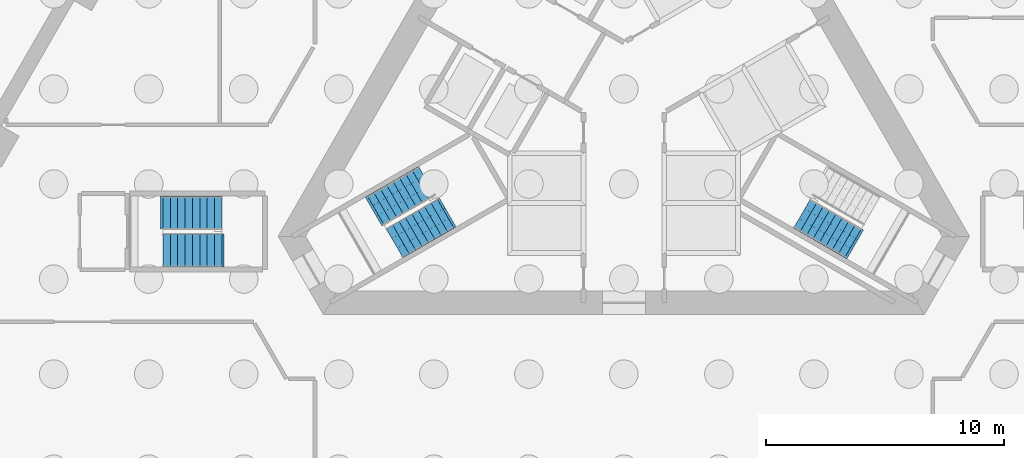
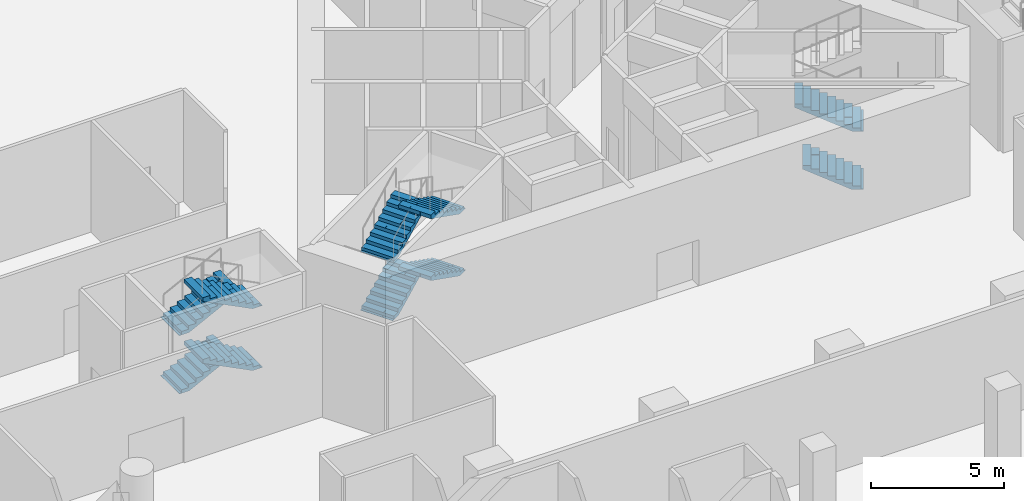
# One storey, part 13 of 20: 10 stair flights, 3 elements without a shape of their own.
"""IFC4 building model written with IfcOpenShell, lengths in metres."""

from ifc_helpers import new_model, si_unit, direction, frame, origin, place, context, subcontext, project, spatial, polyline, outline, extrude, material, type_object, element, aggregate, save


model = new_model("IFC4")

# Units and contexts
model_context = context("Model", 3, precision=1e-05, world=origin(), true_north=direction((0.0, 1.0)))
body_context = subcontext(model_context, "Body", "Model", "MODEL_VIEW")
ifc_project = project(units=[si_unit("LENGTHUNIT", "METRE"), si_unit("AREAUNIT", "SQUARE_METRE"), si_unit("VOLUMEUNIT", "CUBIC_METRE"), si_unit("PLANEANGLEUNIT", "RADIAN"), si_unit("MASSUNIT", "GRAM", prefix="KILO")], contexts=[model_context])

# Site, building, storey
site_placement = place(None, origin())
site = spatial("IfcSite", under=ifc_project, at=site_placement, CompositionType="ELEMENT")
building_placement = place(site_placement, origin())
building = spatial("IfcBuilding", under=site, at=building_placement, Name="Triada Interchange Tower", CompositionType="ELEMENT")
storey_placement = place(building_placement, frame((0.0, 0.0, -5.5)))
storey = spatial("IfcBuildingStorey", under=building, at=storey_placement, Name="B1", CompositionType="ELEMENT", Elevation=-5.5)

# Stair, stair flights
ifc_material = material(Name="Concrete C35/45", Category="concrete")
stair_type = type_object("IfcStairType", Name="HALF TURN STAIR 1400", PredefinedType="HALF_TURN_STAIR", material=ifc_material)
stair_1_placement = place(storey_placement, origin())
stair_1 = element("IfcStair", 1, at=stair_1_placement, inside=storey, type_object=stair_type, Name="Exit stair SB1-2", PredefinedType="HALF_TURN_STAIR")
stair_flight_type = type_object("IfcStairFlightType", Name="STRAIGHT STAIR FLIGHT 1400", PredefinedType="STRAIGHT", material=ifc_material)
stair_flight_1_placement = place(storey_placement, frame((-10.446044921875, -5.10693359375, 0.0), z_axis=(0.0, 0.0, 1.0), x_axis=(0.866025403784, 0.5, 0.0)))
stair_flight_1 = element("IfcStairFlight", 2, at=stair_flight_1_placement, type_object=stair_flight_type, Name="SB1-2 flight 1", NumberOfRisers=8, NumberOfTreads=7, PredefinedType="STRAIGHT", RiserHeight=0.15714, TreadLength=0.31, context=body_context, shape_type="SweptSolid", body=[
    extrude(outline(polyline([(-0.10009765625, 0.0), (-0.10009765625, 0.02001953125), (0.0, 0.02001953125), (0.0, 0.1572265625), (0.31005859375, 0.1572265625), (0.31005859375, 0.314208984375), (0.6201171875, 0.314208984375), (0.6201171875, 0.471435546875), (0.929931640625, 0.471435546875), (0.929931640625, 0.628662109375), (1.239990234375, 0.628662109375), (1.239990234375, 0.78564453125), (1.550048828125, 0.78564453125), (1.550048828125, 0.94287109375), (1.860107421875, 0.94287109375), (1.860107421875, 1.10009765625), (2.169921875, 1.10009765625), (2.174072265625, 1.10009765625), (2.174072265625, 1.257080078125), (2.174072265625, 0.931884765625), (0.33154296875, 0.0), (-0.10009765625, 0.0)])), frame((0.0, 0.699951171875, 0.0), z_axis=(0.0, -1.0, 0.0), x_axis=(1.0, 0.0, 0.0)), (0.0, 0.0, 1.0), 0.46533203125),
    extrude(outline(polyline([(-0.10009765625, 0.0), (-0.10009765625, 0.02001953125), (0.0, 0.02001953125), (0.0, 0.1572265625), (0.31005859375, 0.1572265625), (0.31005859375, 0.314208984375), (0.6201171875, 0.314208984375), (0.6201171875, 0.471435546875), (0.929931640625, 0.471435546875), (0.929931640625, 0.628662109375), (1.239990234375, 0.628662109375), (1.239990234375, 0.78564453125), (1.550048828125, 0.78564453125), (1.550048828125, 0.94287109375), (1.860107421875, 0.94287109375), (1.860107421875, 1.10009765625), (2.169921875, 1.10009765625), (2.174072265625, 1.10009765625), (2.174072265625, 1.257080078125), (2.174072265625, 0.931884765625), (0.33154296875, 0.0), (-0.10009765625, 0.0)])), frame((0.0, 0.232666015625, 0.0), z_axis=(0.0, -1.0, 0.0), x_axis=(1.0, 0.0, 0.0)), (0.0, 0.0, 1.0), 0.46533203125),
    extrude(outline(polyline([(-0.10009765625, 0.0), (-0.10009765625, 0.02001953125), (0.0, 0.02001953125), (0.0, 0.1572265625), (0.31005859375, 0.1572265625), (0.31005859375, 0.314208984375), (0.6201171875, 0.314208984375), (0.6201171875, 0.471435546875), (0.929931640625, 0.471435546875), (0.929931640625, 0.628662109375), (1.239990234375, 0.628662109375), (1.239990234375, 0.78564453125), (1.550048828125, 0.78564453125), (1.550048828125, 0.94287109375), (1.860107421875, 0.94287109375), (1.860107421875, 1.10009765625), (2.169921875, 1.10009765625), (2.174072265625, 1.10009765625), (2.174072265625, 1.257080078125), (2.174072265625, 0.931884765625), (0.33154296875, 0.0), (-0.10009765625, 0.0)])), frame((0.0, -0.234619140625, 0.0), z_axis=(0.0, -1.0, 0.0), x_axis=(1.0, 0.0, 0.0)), (0.0, 0.0, 1.0), 0.46533203125),
])
stair_flight_2_placement = place(storey_placement, frame((-7.498046875, -5.2529296875, 1.257080078125), z_axis=(0.0, 0.0, 1.0), x_axis=(-0.866025403784, -0.5, 0.0)))
stair_flight_2 = element("IfcStairFlight", 3, at=stair_flight_2_placement, type_object=stair_flight_type, Name="SB1-2 flight 2", NumberOfRisers=9, NumberOfTreads=8, PredefinedType="STRAIGHT", RiserHeight=0.15714, TreadLength=0.31, context=body_context, shape_type="SweptSolid", body=[
    extrude(outline(polyline([(-0.10009765625, 0.0), (-0.10009765625, 0.02001953125), (0.0, 0.02001953125), (0.0, 0.1572265625), (0.31005859375, 0.1572265625), (0.31005859375, 0.314208984375), (0.6201171875, 0.314208984375), (0.6201171875, 0.471435546875), (0.929931640625, 0.471435546875), (0.929931640625, 0.628662109375), (1.239990234375, 0.628662109375), (1.239990234375, 0.78564453125), (1.550048828125, 0.78564453125), (1.550048828125, 0.94287109375), (1.860107421875, 0.94287109375), (1.860107421875, 1.10009765625), (2.169921875, 1.10009765625), (2.169921875, 1.257080078125), (2.47998046875, 1.257080078125), (2.48388671875, 1.257080078125), (2.48388671875, 1.414306640625), (2.48388671875, 1.089111328125), (0.33154296875, 0.0), (-0.10009765625, 0.0)])), frame((0.0, 0.699951171875, 0.0), z_axis=(0.0, -1.0, 0.0), x_axis=(1.0, 0.0, 0.0)), (0.0, 0.0, 1.0), 0.46533203125),
    extrude(outline(polyline([(-0.10009765625, 0.0), (-0.10009765625, 0.02001953125), (0.0, 0.02001953125), (0.0, 0.1572265625), (0.31005859375, 0.1572265625), (0.31005859375, 0.314208984375), (0.6201171875, 0.314208984375), (0.6201171875, 0.471435546875), (0.929931640625, 0.471435546875), (0.929931640625, 0.628662109375), (1.239990234375, 0.628662109375), (1.239990234375, 0.78564453125), (1.550048828125, 0.78564453125), (1.550048828125, 0.94287109375), (1.860107421875, 0.94287109375), (1.860107421875, 1.10009765625), (2.169921875, 1.10009765625), (2.169921875, 1.257080078125), (2.47998046875, 1.257080078125), (2.48388671875, 1.257080078125), (2.48388671875, 1.414306640625), (2.48388671875, 1.089111328125), (0.33154296875, 0.0), (-0.10009765625, 0.0)])), frame((0.0, 0.232666015625, 0.0), z_axis=(0.0, -1.0, 0.0), x_axis=(1.0, 0.0, 0.0)), (0.0, 0.0, 1.0), 0.46533203125),
    extrude(outline(polyline([(-0.10009765625, 0.0), (-0.10009765625, 0.02001953125), (0.0, 0.02001953125), (0.0, 0.1572265625), (0.31005859375, 0.1572265625), (0.31005859375, 0.314208984375), (0.6201171875, 0.314208984375), (0.6201171875, 0.471435546875), (0.929931640625, 0.471435546875), (0.929931640625, 0.628662109375), (1.239990234375, 0.628662109375), (1.239990234375, 0.78564453125), (1.550048828125, 0.78564453125), (1.550048828125, 0.94287109375), (1.860107421875, 0.94287109375), (1.860107421875, 1.10009765625), (2.169921875, 1.10009765625), (2.169921875, 1.257080078125), (2.47998046875, 1.257080078125), (2.48388671875, 1.257080078125), (2.48388671875, 1.414306640625), (2.48388671875, 1.089111328125), (0.33154296875, 0.0), (-0.10009765625, 0.0)])), frame((0.0, -0.234619140625, 0.0), z_axis=(0.0, -1.0, 0.0), x_axis=(1.0, 0.0, 0.0)), (0.0, 0.0, 1.0), 0.46533203125),
])
stair_flight_3_placement = place(storey_placement, frame((-10.446044921875, -5.10693359375, 2.67138671875), z_axis=(0.0, 0.0, 1.0), x_axis=(0.866025403784, 0.5, 0.0)))
stair_flight_3 = element("IfcStairFlight", 4, at=stair_flight_3_placement, type_object=stair_flight_type, Name="SB1-2 flight 3", NumberOfRisers=9, NumberOfTreads=8, PredefinedType="STRAIGHT", RiserHeight=0.15714, TreadLength=0.31, context=body_context, shape_type="SweptSolid", body=[
    extrude(outline(polyline([(-0.10009765625, 0.0), (-0.10009765625, 0.02001953125), (0.0, 0.02001953125), (0.0, 0.1572265625), (0.31005859375, 0.1572265625), (0.31005859375, 0.314208984375), (0.6201171875, 0.314208984375), (0.6201171875, 0.471435546875), (0.929931640625, 0.471435546875), (0.929931640625, 0.628662109375), (1.239990234375, 0.628662109375), (1.239990234375, 0.78564453125), (1.550048828125, 0.78564453125), (1.550048828125, 0.94287109375), (1.860107421875, 0.94287109375), (1.860107421875, 1.10009765625), (2.169921875, 1.10009765625), (2.169921875, 1.257080078125), (2.47998046875, 1.257080078125), (2.48388671875, 1.257080078125), (2.48388671875, 1.414306640625), (2.48388671875, 1.089111328125), (0.33154296875, 0.0), (-0.10009765625, 0.0)])), frame((0.0, 0.699951171875, 0.0), z_axis=(0.0, -1.0, 0.0), x_axis=(1.0, 0.0, 0.0)), (0.0, 0.0, 1.0), 0.46533203125),
    extrude(outline(polyline([(-0.10009765625, 0.0), (-0.10009765625, 0.02001953125), (0.0, 0.02001953125), (0.0, 0.1572265625), (0.31005859375, 0.1572265625), (0.31005859375, 0.314208984375), (0.6201171875, 0.314208984375), (0.6201171875, 0.471435546875), (0.929931640625, 0.471435546875), (0.929931640625, 0.628662109375), (1.239990234375, 0.628662109375), (1.239990234375, 0.78564453125), (1.550048828125, 0.78564453125), (1.550048828125, 0.94287109375), (1.860107421875, 0.94287109375), (1.860107421875, 1.10009765625), (2.169921875, 1.10009765625), (2.169921875, 1.257080078125), (2.47998046875, 1.257080078125), (2.48388671875, 1.257080078125), (2.48388671875, 1.414306640625), (2.48388671875, 1.089111328125), (0.33154296875, 0.0), (-0.10009765625, 0.0)])), frame((0.0, 0.232666015625, 0.0), z_axis=(0.0, -1.0, 0.0), x_axis=(1.0, 0.0, 0.0)), (0.0, 0.0, 1.0), 0.46533203125),
    extrude(outline(polyline([(-0.10009765625, 0.0), (-0.10009765625, 0.02001953125), (0.0, 0.02001953125), (0.0, 0.1572265625), (0.31005859375, 0.1572265625), (0.31005859375, 0.314208984375), (0.6201171875, 0.314208984375), (0.6201171875, 0.471435546875), (0.929931640625, 0.471435546875), (0.929931640625, 0.628662109375), (1.239990234375, 0.628662109375), (1.239990234375, 0.78564453125), (1.550048828125, 0.78564453125), (1.550048828125, 0.94287109375), (1.860107421875, 0.94287109375), (1.860107421875, 1.10009765625), (2.169921875, 1.10009765625), (2.169921875, 1.257080078125), (2.47998046875, 1.257080078125), (2.48388671875, 1.257080078125), (2.48388671875, 1.414306640625), (2.48388671875, 1.089111328125), (0.33154296875, 0.0), (-0.10009765625, 0.0)])), frame((0.0, -0.234619140625, 0.0), z_axis=(0.0, -1.0, 0.0), x_axis=(1.0, 0.0, 0.0)), (0.0, 0.0, 1.0), 0.46533203125),
])
stair_flight_4_placement = place(storey_placement, frame((-7.498046875, -5.2529296875, 4.085693359375), z_axis=(0.0, 0.0, 1.0), x_axis=(-0.866025403784, -0.5, 0.0)))
stair_flight_4 = element("IfcStairFlight", 5, at=stair_flight_4_placement, type_object=stair_flight_type, Name="SB1-2 flight 4", NumberOfRisers=9, NumberOfTreads=8, PredefinedType="STRAIGHT", RiserHeight=0.15714, TreadLength=0.31, context=body_context, shape_type="SweptSolid", body=[
    extrude(outline(polyline([(-0.10009765625, 0.0), (-0.10009765625, 0.02001953125), (0.0, 0.02001953125), (0.0, 0.1572265625), (0.31005859375, 0.1572265625), (0.31005859375, 0.314208984375), (0.6201171875, 0.314208984375), (0.6201171875, 0.471435546875), (0.929931640625, 0.471435546875), (0.929931640625, 0.628662109375), (1.239990234375, 0.628662109375), (1.239990234375, 0.78564453125), (1.550048828125, 0.78564453125), (1.550048828125, 0.94287109375), (1.860107421875, 0.94287109375), (1.860107421875, 1.10009765625), (2.169921875, 1.10009765625), (2.169921875, 1.257080078125), (2.47998046875, 1.257080078125), (2.48388671875, 1.257080078125), (2.48388671875, 1.414306640625), (2.48388671875, 1.089111328125), (0.33154296875, 0.0), (-0.10009765625, 0.0)])), frame((0.0, 0.699951171875, 0.0), z_axis=(0.0, -1.0, 0.0), x_axis=(1.0, 0.0, 0.0)), (0.0, 0.0, 1.0), 0.46533203125),
    extrude(outline(polyline([(-0.10009765625, 0.0), (-0.10009765625, 0.02001953125), (0.0, 0.02001953125), (0.0, 0.1572265625), (0.31005859375, 0.1572265625), (0.31005859375, 0.314208984375), (0.6201171875, 0.314208984375), (0.6201171875, 0.471435546875), (0.929931640625, 0.471435546875), (0.929931640625, 0.628662109375), (1.239990234375, 0.628662109375), (1.239990234375, 0.78564453125), (1.550048828125, 0.78564453125), (1.550048828125, 0.94287109375), (1.860107421875, 0.94287109375), (1.860107421875, 1.10009765625), (2.169921875, 1.10009765625), (2.169921875, 1.257080078125), (2.47998046875, 1.257080078125), (2.48388671875, 1.257080078125), (2.48388671875, 1.414306640625), (2.48388671875, 1.089111328125), (0.33154296875, 0.0), (-0.10009765625, 0.0)])), frame((0.0, 0.232666015625, 0.0), z_axis=(0.0, -1.0, 0.0), x_axis=(1.0, 0.0, 0.0)), (0.0, 0.0, 1.0), 0.46533203125),
    extrude(outline(polyline([(-0.10009765625, 0.0), (-0.10009765625, 0.02001953125), (0.0, 0.02001953125), (0.0, 0.1572265625), (0.31005859375, 0.1572265625), (0.31005859375, 0.314208984375), (0.6201171875, 0.314208984375), (0.6201171875, 0.471435546875), (0.929931640625, 0.471435546875), (0.929931640625, 0.628662109375), (1.239990234375, 0.628662109375), (1.239990234375, 0.78564453125), (1.550048828125, 0.78564453125), (1.550048828125, 0.94287109375), (1.860107421875, 0.94287109375), (1.860107421875, 1.10009765625), (2.169921875, 1.10009765625), (2.169921875, 1.257080078125), (2.47998046875, 1.257080078125), (2.48388671875, 1.257080078125), (2.48388671875, 1.414306640625), (2.48388671875, 1.089111328125), (0.33154296875, 0.0), (-0.10009765625, 0.0)])), frame((0.0, -0.234619140625, 0.0), z_axis=(0.0, -1.0, 0.0), x_axis=(1.0, 0.0, 0.0)), (0.0, 0.0, 1.0), 0.46533203125),
])
aggregate(stair_1, [stair_flight_1, stair_flight_2, stair_flight_3, stair_flight_4])

stair_2_placement = place(storey_placement, origin())
stair_2 = element("IfcStair", 6, at=stair_2_placement, inside=storey, type_object=stair_type, Name="Exit stair SB1-3", PredefinedType="HALF_TURN_STAIR")
stair_flight_5_placement = place(storey_placement, frame((9.64599609375, -6.492919921875, 0.0), z_axis=(0.0, 0.0, 1.0), x_axis=(-0.866025403784, 0.5, 0.0)))
stair_flight_5 = element("IfcStairFlight", 7, at=stair_flight_5_placement, type_object=stair_flight_type, Name="SB1-3 flight 1", NumberOfRisers=8, NumberOfTreads=7, PredefinedType="STRAIGHT", RiserHeight=0.15714, TreadLength=0.31, context=body_context, shape_type="SweptSolid", body=[
    extrude(outline(polyline([(-0.10009765625, 0.0), (-0.10009765625, 0.02001953125), (0.0, 0.02001953125), (0.0, 0.1572265625), (0.31005859375, 0.1572265625), (0.31005859375, 0.314208984375), (0.6201171875, 0.314208984375), (0.6201171875, 0.471435546875), (0.929931640625, 0.471435546875), (0.929931640625, 0.628662109375), (1.239990234375, 0.628662109375), (1.239990234375, 0.78564453125), (1.550048828125, 0.78564453125), (1.550048828125, 0.94287109375), (1.860107421875, 0.94287109375), (1.860107421875, 1.10009765625), (2.169921875, 1.10009765625), (2.174072265625, 1.10009765625), (2.174072265625, 1.257080078125), (2.174072265625, 0.931884765625), (0.33154296875, 0.0), (-0.10009765625, 0.0)])), frame((0.0, 0.699951171875, 0.0), z_axis=(0.0, -1.0, 0.0), x_axis=(1.0, 0.0, 0.0)), (0.0, 0.0, 1.0), 0.46533203125),
    extrude(outline(polyline([(-0.10009765625, 0.0), (-0.10009765625, 0.02001953125), (0.0, 0.02001953125), (0.0, 0.1572265625), (0.31005859375, 0.1572265625), (0.31005859375, 0.314208984375), (0.6201171875, 0.314208984375), (0.6201171875, 0.471435546875), (0.929931640625, 0.471435546875), (0.929931640625, 0.628662109375), (1.239990234375, 0.628662109375), (1.239990234375, 0.78564453125), (1.550048828125, 0.78564453125), (1.550048828125, 0.94287109375), (1.860107421875, 0.94287109375), (1.860107421875, 1.10009765625), (2.169921875, 1.10009765625), (2.174072265625, 1.10009765625), (2.174072265625, 1.257080078125), (2.174072265625, 0.931884765625), (0.33154296875, 0.0), (-0.10009765625, 0.0)])), frame((0.0, 0.232666015625, 0.0), z_axis=(0.0, -1.0, 0.0), x_axis=(1.0, 0.0, 0.0)), (0.0, 0.0, 1.0), 0.46533203125),
    extrude(outline(polyline([(-0.10009765625, 0.0), (-0.10009765625, 0.02001953125), (0.0, 0.02001953125), (0.0, 0.1572265625), (0.31005859375, 0.1572265625), (0.31005859375, 0.314208984375), (0.6201171875, 0.314208984375), (0.6201171875, 0.471435546875), (0.929931640625, 0.471435546875), (0.929931640625, 0.628662109375), (1.239990234375, 0.628662109375), (1.239990234375, 0.78564453125), (1.550048828125, 0.78564453125), (1.550048828125, 0.94287109375), (1.860107421875, 0.94287109375), (1.860107421875, 1.10009765625), (2.169921875, 1.10009765625), (2.174072265625, 1.10009765625), (2.174072265625, 1.257080078125), (2.174072265625, 0.931884765625), (0.33154296875, 0.0), (-0.10009765625, 0.0)])), frame((0.0, -0.234619140625, 0.0), z_axis=(0.0, -1.0, 0.0), x_axis=(1.0, 0.0, 0.0)), (0.0, 0.0, 1.0), 0.46533203125),
])
stair_flight_6_placement = place(storey_placement, frame((9.64599609375, -6.492919921875, 2.67138671875), z_axis=(0.0, 0.0, 1.0), x_axis=(-0.866025403784, 0.5, 0.0)))
stair_flight_6 = element("IfcStairFlight", 8, at=stair_flight_6_placement, type_object=stair_flight_type, Name="SB1-3 flight 3", NumberOfRisers=9, NumberOfTreads=8, PredefinedType="STRAIGHT", RiserHeight=0.15714, TreadLength=0.31, context=body_context, shape_type="SweptSolid", body=[
    extrude(outline(polyline([(-0.10009765625, 0.0), (-0.10009765625, 0.02001953125), (0.0, 0.02001953125), (0.0, 0.1572265625), (0.31005859375, 0.1572265625), (0.31005859375, 0.314208984375), (0.6201171875, 0.314208984375), (0.6201171875, 0.471435546875), (0.929931640625, 0.471435546875), (0.929931640625, 0.628662109375), (1.239990234375, 0.628662109375), (1.239990234375, 0.78564453125), (1.550048828125, 0.78564453125), (1.550048828125, 0.94287109375), (1.860107421875, 0.94287109375), (1.860107421875, 1.10009765625), (2.169921875, 1.10009765625), (2.169921875, 1.257080078125), (2.47998046875, 1.257080078125), (2.48388671875, 1.257080078125), (2.48388671875, 1.414306640625), (2.48388671875, 1.089111328125), (0.33154296875, 0.0), (-0.10009765625, 0.0)])), frame((0.0, 0.699951171875, 0.0), z_axis=(0.0, -1.0, 0.0), x_axis=(1.0, 0.0, 0.0)), (0.0, 0.0, 1.0), 0.46533203125),
    extrude(outline(polyline([(-0.10009765625, 0.0), (-0.10009765625, 0.02001953125), (0.0, 0.02001953125), (0.0, 0.1572265625), (0.31005859375, 0.1572265625), (0.31005859375, 0.314208984375), (0.6201171875, 0.314208984375), (0.6201171875, 0.471435546875), (0.929931640625, 0.471435546875), (0.929931640625, 0.628662109375), (1.239990234375, 0.628662109375), (1.239990234375, 0.78564453125), (1.550048828125, 0.78564453125), (1.550048828125, 0.94287109375), (1.860107421875, 0.94287109375), (1.860107421875, 1.10009765625), (2.169921875, 1.10009765625), (2.169921875, 1.257080078125), (2.47998046875, 1.257080078125), (2.48388671875, 1.257080078125), (2.48388671875, 1.414306640625), (2.48388671875, 1.089111328125), (0.33154296875, 0.0), (-0.10009765625, 0.0)])), frame((0.0, 0.232666015625, 0.0), z_axis=(0.0, -1.0, 0.0), x_axis=(1.0, 0.0, 0.0)), (0.0, 0.0, 1.0), 0.46533203125),
    extrude(outline(polyline([(-0.10009765625, 0.0), (-0.10009765625, 0.02001953125), (0.0, 0.02001953125), (0.0, 0.1572265625), (0.31005859375, 0.1572265625), (0.31005859375, 0.314208984375), (0.6201171875, 0.314208984375), (0.6201171875, 0.471435546875), (0.929931640625, 0.471435546875), (0.929931640625, 0.628662109375), (1.239990234375, 0.628662109375), (1.239990234375, 0.78564453125), (1.550048828125, 0.78564453125), (1.550048828125, 0.94287109375), (1.860107421875, 0.94287109375), (1.860107421875, 1.10009765625), (2.169921875, 1.10009765625), (2.169921875, 1.257080078125), (2.47998046875, 1.257080078125), (2.48388671875, 1.257080078125), (2.48388671875, 1.414306640625), (2.48388671875, 1.089111328125), (0.33154296875, 0.0), (-0.10009765625, 0.0)])), frame((0.0, -0.234619140625, 0.0), z_axis=(0.0, -1.0, 0.0), x_axis=(1.0, 0.0, 0.0)), (0.0, 0.0, 1.0), 0.46533203125),
])
aggregate(stair_2, [stair_flight_5, stair_flight_6])

stair_3_placement = place(storey_placement, origin())
stair_3 = element("IfcStair", 9, at=stair_3_placement, inside=storey, type_object=stair_type, Name="Exit stair SB1-6", PredefinedType="HALF_TURN_STAIR")
stair_flight_7_placement = place(storey_placement, frame((-19.39990234375, -5.199951171875, 0.0), z_axis=(0.0, 0.0, 1.0), x_axis=(1.0, 0.0, 0.0)))
stair_flight_7 = element("IfcStairFlight", 10, at=stair_flight_7_placement, type_object=stair_flight_type, Name="SB1-6 flight 1", NumberOfRisers=8, NumberOfTreads=7, PredefinedType="STRAIGHT", RiserHeight=0.15714, TreadLength=0.31, context=body_context, shape_type="SweptSolid", body=[
    extrude(outline(polyline([(-0.10009765625, 0.0), (-0.10009765625, 0.02001953125), (0.0, 0.02001953125), (0.0, 0.1572265625), (0.31005859375, 0.1572265625), (0.31005859375, 0.314208984375), (0.6201171875, 0.314208984375), (0.6201171875, 0.471435546875), (0.929931640625, 0.471435546875), (0.929931640625, 0.628662109375), (1.239990234375, 0.628662109375), (1.239990234375, 0.78564453125), (1.550048828125, 0.78564453125), (1.550048828125, 0.94287109375), (1.860107421875, 0.94287109375), (1.860107421875, 1.10009765625), (2.169921875, 1.10009765625), (2.174072265625, 1.10009765625), (2.174072265625, 1.257080078125), (2.174072265625, 0.931884765625), (0.33154296875, 0.0), (-0.10009765625, 0.0)])), frame((0.0, 0.699951171875, 0.0), z_axis=(0.0, -1.0, 0.0), x_axis=(1.0, 0.0, 0.0)), (0.0, 0.0, 1.0), 0.46533203125),
    extrude(outline(polyline([(-0.10009765625, 0.0), (-0.10009765625, 0.02001953125), (0.0, 0.02001953125), (0.0, 0.1572265625), (0.31005859375, 0.1572265625), (0.31005859375, 0.314208984375), (0.6201171875, 0.314208984375), (0.6201171875, 0.471435546875), (0.929931640625, 0.471435546875), (0.929931640625, 0.628662109375), (1.239990234375, 0.628662109375), (1.239990234375, 0.78564453125), (1.550048828125, 0.78564453125), (1.550048828125, 0.94287109375), (1.860107421875, 0.94287109375), (1.860107421875, 1.10009765625), (2.169921875, 1.10009765625), (2.174072265625, 1.10009765625), (2.174072265625, 1.257080078125), (2.174072265625, 0.931884765625), (0.33154296875, 0.0), (-0.10009765625, 0.0)])), frame((0.0, 0.232666015625, 0.0), z_axis=(0.0, -1.0, 0.0), x_axis=(1.0, 0.0, 0.0)), (0.0, 0.0, 1.0), 0.46533203125),
    extrude(outline(polyline([(-0.10009765625, 0.0), (-0.10009765625, 0.02001953125), (0.0, 0.02001953125), (0.0, 0.1572265625), (0.31005859375, 0.1572265625), (0.31005859375, 0.314208984375), (0.6201171875, 0.314208984375), (0.6201171875, 0.471435546875), (0.929931640625, 0.471435546875), (0.929931640625, 0.628662109375), (1.239990234375, 0.628662109375), (1.239990234375, 0.78564453125), (1.550048828125, 0.78564453125), (1.550048828125, 0.94287109375), (1.860107421875, 0.94287109375), (1.860107421875, 1.10009765625), (2.169921875, 1.10009765625), (2.174072265625, 1.10009765625), (2.174072265625, 1.257080078125), (2.174072265625, 0.931884765625), (0.33154296875, 0.0), (-0.10009765625, 0.0)])), frame((0.0, -0.234619140625, 0.0), z_axis=(0.0, -1.0, 0.0), x_axis=(1.0, 0.0, 0.0)), (0.0, 0.0, 1.0), 0.46533203125),
])
stair_flight_8_placement = place(storey_placement, frame((-16.919921875, -6.800048828125, 1.257080078125), z_axis=(0.0, 0.0, 1.0), x_axis=(-1.0, 0.0, 0.0)))
stair_flight_8 = element("IfcStairFlight", 11, at=stair_flight_8_placement, type_object=stair_flight_type, Name="SB1-6 flight 2", NumberOfRisers=9, NumberOfTreads=8, PredefinedType="STRAIGHT", RiserHeight=0.15714, TreadLength=0.31, context=body_context, shape_type="SweptSolid", body=[
    extrude(outline(polyline([(-0.10009765625, 0.0), (-0.10009765625, 0.02001953125), (0.0, 0.02001953125), (0.0, 0.1572265625), (0.31005859375, 0.1572265625), (0.31005859375, 0.314208984375), (0.6201171875, 0.314208984375), (0.6201171875, 0.471435546875), (0.929931640625, 0.471435546875), (0.929931640625, 0.628662109375), (1.239990234375, 0.628662109375), (1.239990234375, 0.78564453125), (1.550048828125, 0.78564453125), (1.550048828125, 0.94287109375), (1.860107421875, 0.94287109375), (1.860107421875, 1.10009765625), (2.169921875, 1.10009765625), (2.169921875, 1.257080078125), (2.47998046875, 1.257080078125), (2.48388671875, 1.257080078125), (2.48388671875, 1.414306640625), (2.48388671875, 1.089111328125), (0.33154296875, 0.0), (-0.10009765625, 0.0)])), frame((0.0, 0.699951171875, 0.0), z_axis=(0.0, -1.0, 0.0), x_axis=(1.0, 0.0, 0.0)), (0.0, 0.0, 1.0), 0.46533203125),
    extrude(outline(polyline([(-0.10009765625, 0.0), (-0.10009765625, 0.02001953125), (0.0, 0.02001953125), (0.0, 0.1572265625), (0.31005859375, 0.1572265625), (0.31005859375, 0.314208984375), (0.6201171875, 0.314208984375), (0.6201171875, 0.471435546875), (0.929931640625, 0.471435546875), (0.929931640625, 0.628662109375), (1.239990234375, 0.628662109375), (1.239990234375, 0.78564453125), (1.550048828125, 0.78564453125), (1.550048828125, 0.94287109375), (1.860107421875, 0.94287109375), (1.860107421875, 1.10009765625), (2.169921875, 1.10009765625), (2.169921875, 1.257080078125), (2.47998046875, 1.257080078125), (2.48388671875, 1.257080078125), (2.48388671875, 1.414306640625), (2.48388671875, 1.089111328125), (0.33154296875, 0.0), (-0.10009765625, 0.0)])), frame((0.0, 0.232666015625, 0.0), z_axis=(0.0, -1.0, 0.0), x_axis=(1.0, 0.0, 0.0)), (0.0, 0.0, 1.0), 0.46533203125),
    extrude(outline(polyline([(-0.10009765625, 0.0), (-0.10009765625, 0.02001953125), (0.0, 0.02001953125), (0.0, 0.1572265625), (0.31005859375, 0.1572265625), (0.31005859375, 0.314208984375), (0.6201171875, 0.314208984375), (0.6201171875, 0.471435546875), (0.929931640625, 0.471435546875), (0.929931640625, 0.628662109375), (1.239990234375, 0.628662109375), (1.239990234375, 0.78564453125), (1.550048828125, 0.78564453125), (1.550048828125, 0.94287109375), (1.860107421875, 0.94287109375), (1.860107421875, 1.10009765625), (2.169921875, 1.10009765625), (2.169921875, 1.257080078125), (2.47998046875, 1.257080078125), (2.48388671875, 1.257080078125), (2.48388671875, 1.414306640625), (2.48388671875, 1.089111328125), (0.33154296875, 0.0), (-0.10009765625, 0.0)])), frame((0.0, -0.234619140625, 0.0), z_axis=(0.0, -1.0, 0.0), x_axis=(1.0, 0.0, 0.0)), (0.0, 0.0, 1.0), 0.46533203125),
])
stair_flight_9_placement = place(storey_placement, frame((-19.39990234375, -5.199951171875, 2.67138671875), z_axis=(0.0, 0.0, 1.0), x_axis=(1.0, 0.0, 0.0)))
stair_flight_9 = element("IfcStairFlight", 12, at=stair_flight_9_placement, type_object=stair_flight_type, Name="SB1-6 flight 3", NumberOfRisers=9, NumberOfTreads=8, PredefinedType="STRAIGHT", RiserHeight=0.15714, TreadLength=0.31, context=body_context, shape_type="SweptSolid", body=[
    extrude(outline(polyline([(-0.10009765625, 0.0), (-0.10009765625, 0.02001953125), (0.0, 0.02001953125), (0.0, 0.1572265625), (0.31005859375, 0.1572265625), (0.31005859375, 0.314208984375), (0.6201171875, 0.314208984375), (0.6201171875, 0.471435546875), (0.929931640625, 0.471435546875), (0.929931640625, 0.628662109375), (1.239990234375, 0.628662109375), (1.239990234375, 0.78564453125), (1.550048828125, 0.78564453125), (1.550048828125, 0.94287109375), (1.860107421875, 0.94287109375), (1.860107421875, 1.10009765625), (2.169921875, 1.10009765625), (2.169921875, 1.257080078125), (2.47998046875, 1.257080078125), (2.48388671875, 1.257080078125), (2.48388671875, 1.414306640625), (2.48388671875, 1.089111328125), (0.33154296875, 0.0), (-0.10009765625, 0.0)])), frame((0.0, 0.699951171875, 0.0), z_axis=(0.0, -1.0, 0.0), x_axis=(1.0, 0.0, 0.0)), (0.0, 0.0, 1.0), 0.46533203125),
    extrude(outline(polyline([(-0.10009765625, 0.0), (-0.10009765625, 0.02001953125), (0.0, 0.02001953125), (0.0, 0.1572265625), (0.31005859375, 0.1572265625), (0.31005859375, 0.314208984375), (0.6201171875, 0.314208984375), (0.6201171875, 0.471435546875), (0.929931640625, 0.471435546875), (0.929931640625, 0.628662109375), (1.239990234375, 0.628662109375), (1.239990234375, 0.78564453125), (1.550048828125, 0.78564453125), (1.550048828125, 0.94287109375), (1.860107421875, 0.94287109375), (1.860107421875, 1.10009765625), (2.169921875, 1.10009765625), (2.169921875, 1.257080078125), (2.47998046875, 1.257080078125), (2.48388671875, 1.257080078125), (2.48388671875, 1.414306640625), (2.48388671875, 1.089111328125), (0.33154296875, 0.0), (-0.10009765625, 0.0)])), frame((0.0, 0.232666015625, 0.0), z_axis=(0.0, -1.0, 0.0), x_axis=(1.0, 0.0, 0.0)), (0.0, 0.0, 1.0), 0.46533203125),
    extrude(outline(polyline([(-0.10009765625, 0.0), (-0.10009765625, 0.02001953125), (0.0, 0.02001953125), (0.0, 0.1572265625), (0.31005859375, 0.1572265625), (0.31005859375, 0.314208984375), (0.6201171875, 0.314208984375), (0.6201171875, 0.471435546875), (0.929931640625, 0.471435546875), (0.929931640625, 0.628662109375), (1.239990234375, 0.628662109375), (1.239990234375, 0.78564453125), (1.550048828125, 0.78564453125), (1.550048828125, 0.94287109375), (1.860107421875, 0.94287109375), (1.860107421875, 1.10009765625), (2.169921875, 1.10009765625), (2.169921875, 1.257080078125), (2.47998046875, 1.257080078125), (2.48388671875, 1.257080078125), (2.48388671875, 1.414306640625), (2.48388671875, 1.089111328125), (0.33154296875, 0.0), (-0.10009765625, 0.0)])), frame((0.0, -0.234619140625, 0.0), z_axis=(0.0, -1.0, 0.0), x_axis=(1.0, 0.0, 0.0)), (0.0, 0.0, 1.0), 0.46533203125),
])
stair_flight_10_placement = place(storey_placement, frame((-16.919921875, -6.800048828125, 4.085693359375), z_axis=(0.0, 0.0, 1.0), x_axis=(-1.0, 0.0, 0.0)))
stair_flight_10 = element("IfcStairFlight", 13, at=stair_flight_10_placement, type_object=stair_flight_type, Name="SB1-6 flight 4", NumberOfRisers=9, NumberOfTreads=8, PredefinedType="STRAIGHT", RiserHeight=0.15714, TreadLength=0.31, context=body_context, shape_type="SweptSolid", body=[
    extrude(outline(polyline([(-0.10009765625, 0.0), (-0.10009765625, 0.02001953125), (0.0, 0.02001953125), (0.0, 0.1572265625), (0.31005859375, 0.1572265625), (0.31005859375, 0.314208984375), (0.6201171875, 0.314208984375), (0.6201171875, 0.471435546875), (0.929931640625, 0.471435546875), (0.929931640625, 0.628662109375), (1.239990234375, 0.628662109375), (1.239990234375, 0.78564453125), (1.550048828125, 0.78564453125), (1.550048828125, 0.94287109375), (1.860107421875, 0.94287109375), (1.860107421875, 1.10009765625), (2.169921875, 1.10009765625), (2.169921875, 1.257080078125), (2.47998046875, 1.257080078125), (2.48388671875, 1.257080078125), (2.48388671875, 1.414306640625), (2.48388671875, 1.089111328125), (0.33154296875, 0.0), (-0.10009765625, 0.0)])), frame((0.0, 0.699951171875, 0.0), z_axis=(0.0, -1.0, 0.0), x_axis=(1.0, 0.0, 0.0)), (0.0, 0.0, 1.0), 0.46533203125),
    extrude(outline(polyline([(-0.10009765625, 0.0), (-0.10009765625, 0.02001953125), (0.0, 0.02001953125), (0.0, 0.1572265625), (0.31005859375, 0.1572265625), (0.31005859375, 0.314208984375), (0.6201171875, 0.314208984375), (0.6201171875, 0.471435546875), (0.929931640625, 0.471435546875), (0.929931640625, 0.628662109375), (1.239990234375, 0.628662109375), (1.239990234375, 0.78564453125), (1.550048828125, 0.78564453125), (1.550048828125, 0.94287109375), (1.860107421875, 0.94287109375), (1.860107421875, 1.10009765625), (2.169921875, 1.10009765625), (2.169921875, 1.257080078125), (2.47998046875, 1.257080078125), (2.48388671875, 1.257080078125), (2.48388671875, 1.414306640625), (2.48388671875, 1.089111328125), (0.33154296875, 0.0), (-0.10009765625, 0.0)])), frame((0.0, 0.232666015625, 0.0), z_axis=(0.0, -1.0, 0.0), x_axis=(1.0, 0.0, 0.0)), (0.0, 0.0, 1.0), 0.46533203125),
    extrude(outline(polyline([(-0.10009765625, 0.0), (-0.10009765625, 0.02001953125), (0.0, 0.02001953125), (0.0, 0.1572265625), (0.31005859375, 0.1572265625), (0.31005859375, 0.314208984375), (0.6201171875, 0.314208984375), (0.6201171875, 0.471435546875), (0.929931640625, 0.471435546875), (0.929931640625, 0.628662109375), (1.239990234375, 0.628662109375), (1.239990234375, 0.78564453125), (1.550048828125, 0.78564453125), (1.550048828125, 0.94287109375), (1.860107421875, 0.94287109375), (1.860107421875, 1.10009765625), (2.169921875, 1.10009765625), (2.169921875, 1.257080078125), (2.47998046875, 1.257080078125), (2.48388671875, 1.257080078125), (2.48388671875, 1.414306640625), (2.48388671875, 1.089111328125), (0.33154296875, 0.0), (-0.10009765625, 0.0)])), frame((0.0, -0.234619140625, 0.0), z_axis=(0.0, -1.0, 0.0), x_axis=(1.0, 0.0, 0.0)), (0.0, 0.0, 1.0), 0.46533203125),
])
aggregate(stair_3, [stair_flight_7, stair_flight_8, stair_flight_9, stair_flight_10])

save(model, "model.ifc")
